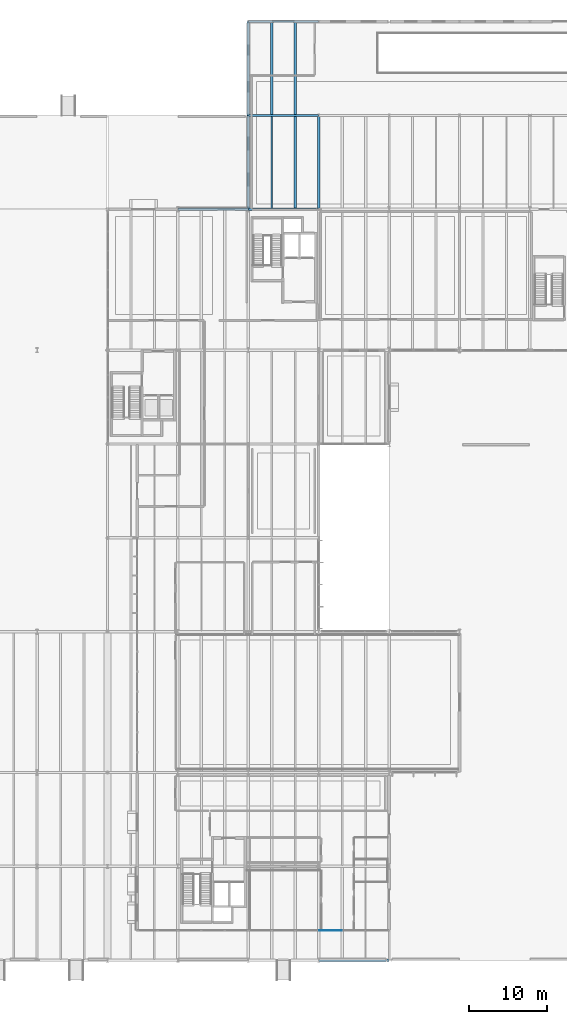
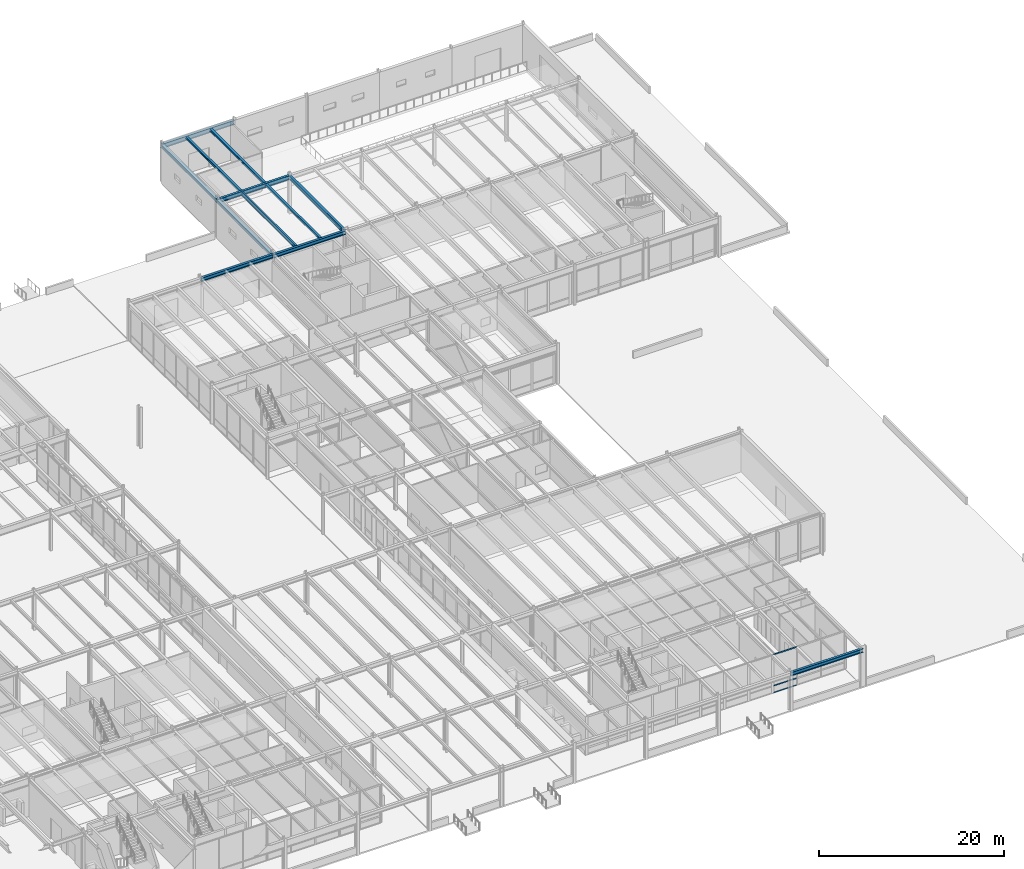
# One storey, part 91 of 143: 12 beams, 3 members, 1 element without a shape of its own.
"""IFC4 building model written with IfcOpenShell, lengths in metres."""

from ifc_helpers import new_model, si_unit, direction, frame, origin, origin_2d, place, context, subcontext, project, spatial, hollow_rectangle, i_section, extrude, material, layer, layer_set, material_profile, profile_set, type_object, element, aggregate, save


model = new_model("IFC4")

# Units and contexts
model_context = context("Model", 3, precision=1e-05, world=origin(), true_north=direction((0.0, 1.0)))
body_context = subcontext(model_context, "Body", "Model", "MODEL_VIEW")
ifc_project = project(units=[si_unit("LENGTHUNIT", "METRE"), si_unit("AREAUNIT", "SQUARE_METRE"), si_unit("VOLUMEUNIT", "CUBIC_METRE"), si_unit("PLANEANGLEUNIT", "RADIAN"), si_unit("MASSUNIT", "GRAM", prefix="KILO")], contexts=[model_context])

# Site, building, storey
site_placement = place(None, origin())
site = spatial("IfcSite", under=ifc_project, at=site_placement, CompositionType="ELEMENT")
building_placement = place(site_placement, origin())
building = spatial("IfcBuilding", under=site, at=building_placement, Name="Montelvaro Courts of Justice", CompositionType="ELEMENT")
storey_placement = place(building_placement, origin())
storey = spatial("IfcBuildingStorey", under=building, at=storey_placement, Name="L00", CompositionType="ELEMENT", Elevation=0.0)

# Beams
ifc_material_1 = material(Name="Steel S355", Category="steel")
ifc_material_profile_1 = material_profile(ifc_material_1, i_section(OverallWidth=0.280029296875, OverallDepth=0.27001953125, WebThickness=0.008056640625, FlangeThickness=0.012939453125, at=origin_2d()), Name="HEA 280")
ifc_profile_set_1 = profile_set([ifc_material_profile_1], Name="Steel S355")
beam_type_1 = type_object("IfcBeamType", Name="Beam_HEA280", PredefinedType="BEAM", material=ifc_profile_set_1)
for number, where, z_axis, x_axis, name in (
    (1, (123.0, 96.110107421875, 4.905029296875), (0.0, 1.0, 0.0), (-1.0, 0.0, 0.0), "Beam B-14 L00"),
    (2, (120.0, 108.110107421875, 4.905029296875), (0.0, 1.0, 0.0), (-1.0, 0.0, 0.0), "Beam B-14 L00"),
):
    element("IfcBeam", number, at=place(storey_placement, frame(where, z_axis=z_axis, x_axis=x_axis)), inside=storey, type_object=beam_type_1, Name=name, PredefinedType="BEAM", context=body_context, shape_type="SweptSolid", body=[
        extrude(i_section(OverallWidth=0.280029296875, OverallDepth=0.27001953125, WebThickness=0.008056640625, FlangeThickness=0.012939453125, at=origin_2d()), origin(), (0.0, 0.0, 1.0), 11.77978515625),
    ])
ifc_material_profile_2 = material_profile(ifc_material_1, i_section(OverallWidth=0.300048828125, OverallDepth=0.31005859375, WebThickness=0.009033203125, FlangeThickness=0.015380859375, at=origin_2d()), Name="HEA 320")
ifc_profile_set_2 = profile_set([ifc_material_profile_2], Name="Steel S355")
beam_type_2 = type_object("IfcBeamType", Name="Beam_HEA320", PredefinedType="BEAM", material=ifc_profile_set_2)
beam_1_placement = place(storey_placement, frame((123.0, 108.110107421875, 4.885009765625), z_axis=(0.0, 1.0, 0.0), x_axis=(-1.0, 0.0, 0.0)))
element("IfcBeam", 3, at=beam_1_placement, inside=storey, type_object=beam_type_2, Name="Beam B-15 L00", PredefinedType="BEAM", context=body_context, shape_type="SweptSolid", body=[
    extrude(i_section(OverallWidth=0.300048828125, OverallDepth=0.31005859375, WebThickness=0.009033203125, FlangeThickness=0.015380859375, at=origin_2d()), origin(), (0.0, 0.0, 1.0), 11.77978515625),
])
ifc_material_profile_3 = material_profile(ifc_material_1, i_section(OverallWidth=0.300048828125, OverallDepth=0.43994140625, WebThickness=0.011474609375, FlangeThickness=0.02099609375, at=origin_2d()), Name="HEA 450")
ifc_profile_set_3 = profile_set([ifc_material_profile_3], Name="Steel S355")
beam_type_3 = type_object("IfcBeamType", Name="Beam_HEA450", PredefinedType="USERDEFINED", material=ifc_profile_set_3)
for number, where, z_axis, x_axis, name in (
    (4, (117.0, 96.0, 4.820068359375), (0.0, 1.0, 0.0), (-1.0, 0.0, 0.0), "Beam B-18 L00"),
    (5, (117.0, 108.0, 4.820068359375), (0.0, 1.0, 0.0), (-1.0, 0.0, 0.0), "Beam B-18 L00"),
):
    element("IfcBeam", number, at=place(storey_placement, frame(where, z_axis=z_axis, x_axis=x_axis)), inside=storey, type_object=beam_type_3, Name=name, ObjectType="GIRDER", PredefinedType="USERDEFINED", context=body_context, shape_type="SweptSolid", body=[
        extrude(i_section(OverallWidth=0.300048828125, OverallDepth=0.43994140625, WebThickness=0.011474609375, FlangeThickness=0.02099609375, at=origin_2d()), origin(), (0.0, 0.0, 1.0), 12.0),
    ])
ifc_material_profile_4 = material_profile(ifc_material_1, i_section(OverallWidth=0.300048828125, OverallDepth=0.489990234375, WebThickness=0.011962890625, FlangeThickness=0.02294921875, at=origin_2d()), Name="HEA 500")
ifc_profile_set_4 = profile_set([ifc_material_profile_4], Name="Steel S355")
beam_type_4 = type_object("IfcBeamType", Name="Beam_HEA500", PredefinedType="USERDEFINED", material=ifc_profile_set_4)
for number, where, z_axis, x_axis, name in (
    (6, (126.0, 0.0, 4.8349609375), (1.0, 0.0, 0.0), (0.0, 1.0, 0.0), "Beam B-19 L00"),
    (7, (108.0, 96.0, 4.85498046875), (1.0, 0.0, 0.0), (0.0, 1.0, 0.0), "Beam B-19 L00"),
    (8, (117.0, 96.0, 4.794921875), (1.0, 0.0, 0.0), (0.0, 1.0, 0.0), "Beam B-19 L00"),
):
    element("IfcBeam", number, at=place(storey_placement, frame(where, z_axis=z_axis, x_axis=x_axis)), inside=storey, type_object=beam_type_4, Name=name, ObjectType="GIRDER", PredefinedType="USERDEFINED", context=body_context, shape_type="SweptSolid", body=[
        extrude(i_section(OverallWidth=0.300048828125, OverallDepth=0.489990234375, WebThickness=0.011962890625, FlangeThickness=0.02294921875, at=origin_2d()), origin(), (0.0, 0.0, 1.0), 9.0),
    ])
beam_2_placement = place(storey_placement, frame((126.0, 96.0, 4.794921875), z_axis=(0.0, 1.0, 0.0), x_axis=(-1.0, 0.0, 0.0)))
element("IfcBeam", 9, at=beam_2_placement, inside=storey, type_object=beam_type_4, Name="Beam B-19 L00", ObjectType="GIRDER", PredefinedType="USERDEFINED", context=body_context, shape_type="SweptSolid", body=[
    extrude(i_section(OverallWidth=0.300048828125, OverallDepth=0.489990234375, WebThickness=0.011962890625, FlangeThickness=0.02294921875, at=origin_2d()), origin(), (0.0, 0.0, 1.0), 12.0),
])
ifc_material_profile_5 = material_profile(ifc_material_1, i_section(OverallWidth=0.300048828125, OverallDepth=0.5400390625, WebThickness=0.012451171875, FlangeThickness=0.02392578125, at=origin_2d()), Name="HEA 550")
ifc_profile_set_5 = profile_set([ifc_material_profile_5], Name="Steel S355")
beam_type_5 = type_object("IfcBeamType", Name="Beam_HEA550", PredefinedType="USERDEFINED", material=ifc_profile_set_5)
beam_3_placement = place(storey_placement, frame((117.0, 108.0, 4.77001953125), z_axis=(1.0, 0.0, 0.0), x_axis=(0.0, 1.0, 0.0)))
element("IfcBeam", 10, at=beam_3_placement, inside=storey, type_object=beam_type_5, Name="Beam B-20 L00", ObjectType="GIRDER", PredefinedType="USERDEFINED", context=body_context, shape_type="SweptSolid", body=[
    extrude(i_section(OverallWidth=0.300048828125, OverallDepth=0.5400390625, WebThickness=0.012451171875, FlangeThickness=0.02392578125, at=origin_2d()), origin(), (0.0, 0.0, 1.0), 9.0),
])
ifc_material_profile_6 = material_profile(ifc_material_1, i_section(OverallWidth=0.300048828125, OverallDepth=0.590087890625, WebThickness=0.012939453125, FlangeThickness=0.02490234375, at=origin_2d()), Name="HEA 600")
ifc_profile_set_6 = profile_set([ifc_material_profile_6], Name="Steel S355")
beam_type_6 = type_object("IfcBeamType", Name="Beam_HEA600", PredefinedType="USERDEFINED", material=ifc_profile_set_6)
beam_4_placement = place(storey_placement, frame((117.0, 120.0, 4.7451171875), z_axis=(1.0, 0.0, 0.0), x_axis=(0.0, 1.0, 0.0)))
element("IfcBeam", 11, at=beam_4_placement, inside=storey, type_object=beam_type_6, Name="Beam B-21 L00", ObjectType="GIRDER", PredefinedType="USERDEFINED", context=body_context, shape_type="SweptSolid", body=[
    extrude(i_section(OverallWidth=0.300048828125, OverallDepth=0.590087890625, WebThickness=0.012939453125, FlangeThickness=0.02490234375, at=origin_2d()), origin(), (0.0, 0.0, 1.0), 9.0),
])
ifc_material_profile_7 = material_profile(ifc_material_1, i_section(OverallWidth=0.199951171875, OverallDepth=0.5, WebThickness=0.01025390625, FlangeThickness=0.01611328125, at=origin_2d()), Name="IPE 500")
ifc_profile_set_7 = profile_set([ifc_material_profile_7], Name="Steel S355")
beam_type_7 = type_object("IfcBeamType", Name="Beam_IPE500", PredefinedType="BEAM", material=ifc_profile_set_7)
beam_5_placement = place(storey_placement, frame((120.0, 96.110107421875, 4.7900390625), z_axis=(0.0, 1.0, 0.0), x_axis=(-1.0, 0.0, 0.0)))
element("IfcBeam", 12, at=beam_5_placement, inside=storey, type_object=beam_type_7, Name="Beam B-10 L00", PredefinedType="BEAM", context=body_context, shape_type="SweptSolid", body=[
    extrude(i_section(OverallWidth=0.199951171875, OverallDepth=0.5, WebThickness=0.01025390625, FlangeThickness=0.01611328125, at=origin_2d()), origin(), (0.0, 0.0, 1.0), 11.77978515625),
])

# Curtain wall, members
ifc_material_2 = material(Name="Anodised aluminium EN AW-6063", Category="aluminium")
ifc_layer = layer(ifc_material_2, 0.159912109375)
ifc_layer_set = layer_set([ifc_layer], Name="Anodised aluminium EN AW-6063")
curtain_wall_type = type_object("IfcCurtainWallType", Name="CurtainWall_10_896x508", PredefinedType="USERDEFINED", material=ifc_layer_set)
curtain_wall_placement = place(storey_placement, origin())
curtain_wall = element("IfcCurtainWall", 13, at=curtain_wall_placement, inside=storey, type_object=curtain_wall_type, Name="Curtain Wall CW-10 (L00)", ObjectType="CURTAIN WALL", PredefinedType="USERDEFINED")
ifc_material_profile_8 = material_profile(ifc_material_2, hollow_rectangle(XDim=0.06005859375, YDim=0.159912109375, WallThickness=0.00439453125, at=origin_2d()), Name="ALU-T 60x160")
ifc_profile_set_8 = profile_set([ifc_material_profile_8], Name="Anodised aluminium EN AW-6063")
member_type = type_object("IfcMemberType", Name="CurtainWall_Transom_60x160", PredefinedType="USERDEFINED", material=ifc_profile_set_8)
member_1_placement = place(storey_placement, frame((126.06005859375, 3.800048828125, 0.030029296875), z_axis=(1.0, 0.0, 0.0), x_axis=(0.0, 1.0, 0.0)))
member_1 = element("IfcMember", 14, at=member_1_placement, type_object=member_type, Name="CW-10 transom 1.1", ObjectType="TRANSOM", PredefinedType="USERDEFINED", context=body_context, shape_type="SweptSolid", body=[
    extrude(hollow_rectangle(XDim=0.06005859375, YDim=0.159912109375, WallThickness=0.00439453125, at=origin_2d()), origin(), (0.0, 0.0, 1.0), 2.896728515625),
])
member_2_placement = place(storey_placement, frame((126.06005859375, 3.800048828125, 0.949951171875), z_axis=(1.0, 0.0, 0.0), x_axis=(0.0, 1.0, 0.0)))
member_2 = element("IfcMember", 15, at=member_2_placement, type_object=member_type, Name="CW-10 transom 1.2", ObjectType="TRANSOM", PredefinedType="USERDEFINED", context=body_context, shape_type="SweptSolid", body=[
    extrude(hollow_rectangle(XDim=0.06005859375, YDim=0.159912109375, WallThickness=0.00439453125, at=origin_2d()), origin(), (0.0, 0.0, 1.0), 2.896728515625),
])
member_3_placement = place(storey_placement, frame((126.06005859375, 3.800048828125, 5.050048828125), z_axis=(1.0, 0.0, 0.0), x_axis=(0.0, 1.0, 0.0)))
member_3 = element("IfcMember", 16, at=member_3_placement, type_object=member_type, Name="CW-10 transom 1.3", ObjectType="TRANSOM", PredefinedType="USERDEFINED", context=body_context, shape_type="SweptSolid", body=[
    extrude(hollow_rectangle(XDim=0.06005859375, YDim=0.159912109375, WallThickness=0.00439453125, at=origin_2d()), origin(), (0.0, 0.0, 1.0), 2.896728515625),
])
aggregate(curtain_wall, [member_1, member_2, member_3])

save(model, "model.ifc")
